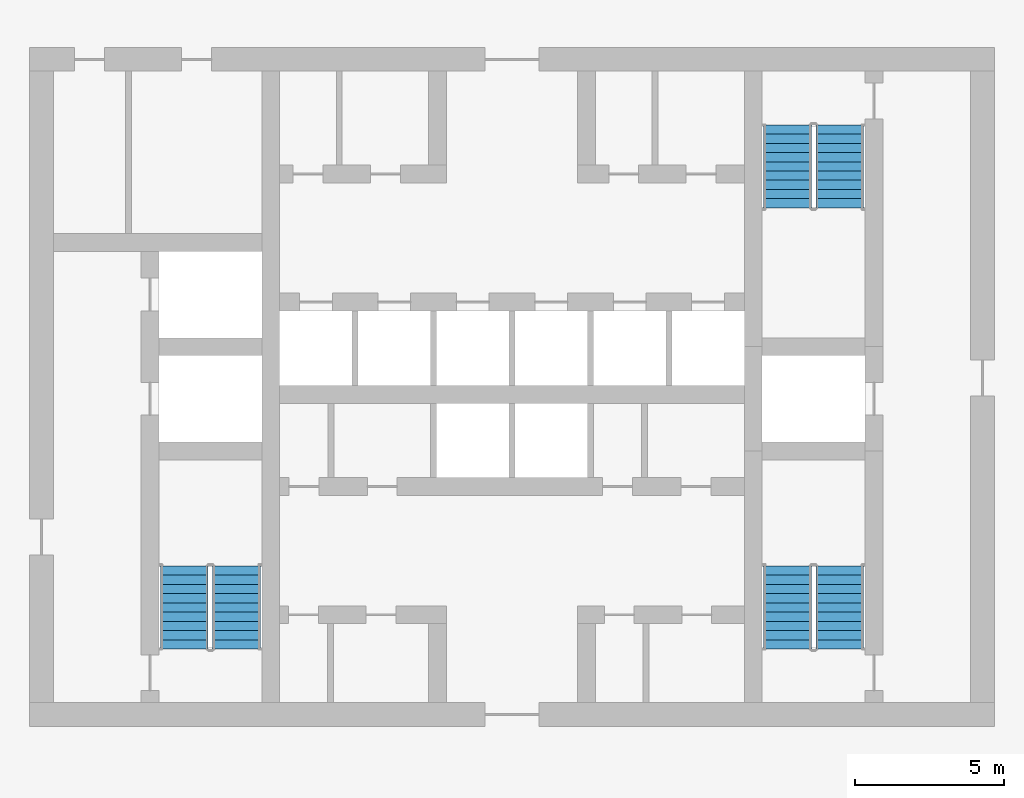
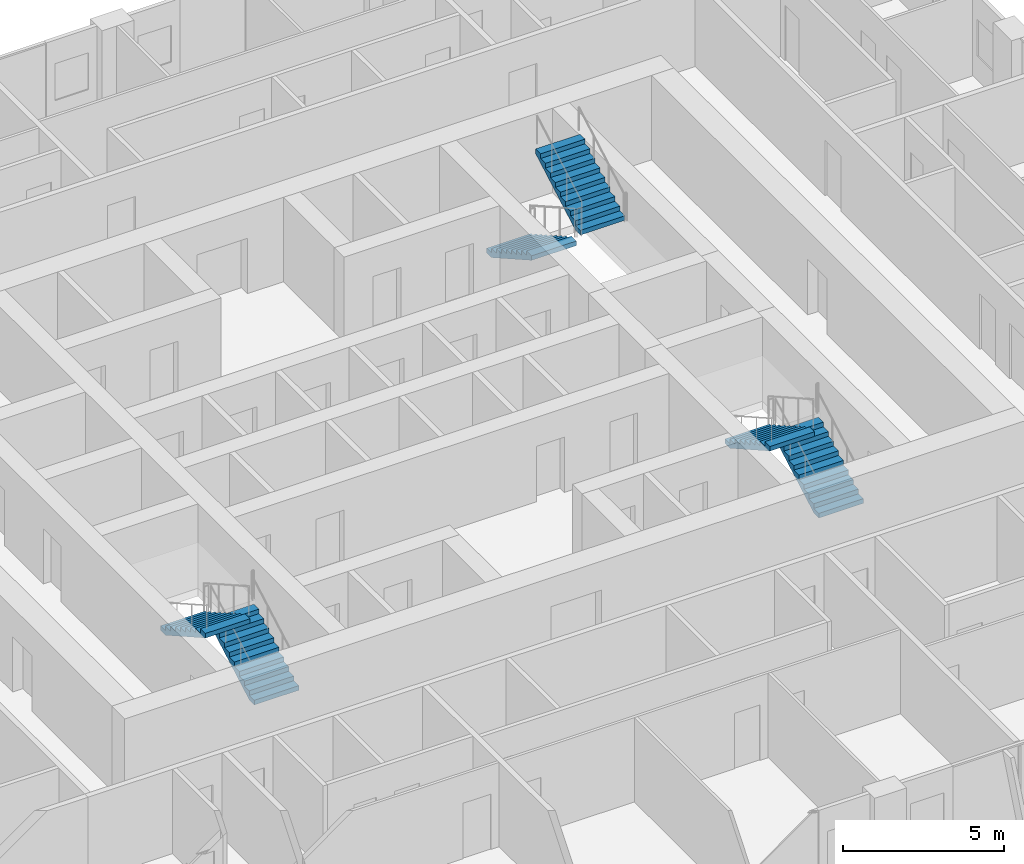
# One storey, part 16 of 22: 6 stair flights, 3 elements without a shape of their own.
"""IFC4 building model written with IfcOpenShell, lengths in metres."""

from ifc_helpers import new_model, si_unit, direction, frame, origin, place, context, subcontext, project, spatial, polyline, outline, extrude, material, type_object, element, aggregate, save


model = new_model("IFC4")

# Units and contexts
model_context = context("Model", 3, precision=1e-05, world=origin(), true_north=direction((0.0, 1.0)))
body_context = subcontext(model_context, "Body", "Model", "MODEL_VIEW")
ifc_project = project(units=[si_unit("LENGTHUNIT", "METRE"), si_unit("AREAUNIT", "SQUARE_METRE"), si_unit("VOLUMEUNIT", "CUBIC_METRE"), si_unit("PLANEANGLEUNIT", "RADIAN"), si_unit("MASSUNIT", "GRAM", prefix="KILO")], contexts=[model_context])

# Site, building, storey
site_placement = place(None, origin())
site = spatial("IfcSite", under=ifc_project, at=site_placement, CompositionType="ELEMENT")
building_placement = place(site_placement, origin())
building = spatial("IfcBuilding", under=site, at=building_placement, Name="Madar Terraces", CompositionType="ELEMENT")
storey_placement = place(building_placement, frame((0.0, 0.0, 166.5)))
storey = spatial("IfcBuildingStorey", under=building, at=storey_placement, Name="L43", CompositionType="ELEMENT", Elevation=166.5)

# Stair, stair flights
ifc_material_1 = material(Name="Concrete C50/60", Category="concrete")
stair_type_1 = type_object("IfcStairType", Name="Stair ST1 protected exit", PredefinedType="HALF_TURN_STAIR", material=ifc_material_1)
stair_1_placement = place(storey_placement, origin())
stair_1 = element("IfcStair", 1, at=stair_1_placement, inside=storey, type_object=stair_type_1, Name="L43 Protected Exit Stair ST1", PredefinedType="HALF_TURN_STAIR")
ifc_material_2 = material(Name="Concrete C50/60", Category="concrete")
stair_flight_type_1 = type_object("IfcStairFlightType", Name="Stair flight ST1-F4, 1600 wide, 10 risers", PredefinedType="STRAIGHT", material=ifc_material_2)
stair_flight_1_placement = place(storey_placement, frame((21.949951171875, 17.60009765625, 0.0), z_axis=(0.0, 0.0, 1.0), x_axis=(0.0, 1.0, 0.0)))
stair_flight_1 = element("IfcStairFlight", 2, at=stair_flight_1_placement, type_object=stair_flight_type_1, Name="ST1 flight 1", NumberOfRisers=10, NumberOfTreads=9, PredefinedType="STRAIGHT", RiserHeight=0.175, TreadLength=0.31, context=body_context, shape_type="SweptSolid", body=[
    extrude(outline(polyline([(0.0, 0.0), (0.0, 0.175048828125), (0.31005859375, 0.175048828125), (0.31005859375, 0.35009765625), (0.6201171875, 0.35009765625), (0.6201171875, 0.52490234375), (0.929931640625, 0.52490234375), (0.929931640625, 0.699951171875), (1.239990234375, 0.699951171875), (1.239990234375, 0.875), (1.550048828125, 0.875), (1.550048828125, 1.050048828125), (1.860107421875, 1.050048828125), (1.860107421875, 1.22509765625), (2.169921875, 1.22509765625), (2.169921875, 1.39990234375), (2.47998046875, 1.39990234375), (2.47998046875, 1.574951171875), (2.7900390625, 1.574951171875), (2.7900390625, 1.75), (2.7900390625, 1.40283203125), (0.304931640625, 0.0), (0.0, 0.0)])), frame((0.0, 0.800048828125, 0.0), z_axis=(0.0, -1.0, 0.0), x_axis=(1.0, 0.0, 0.0)), (0.0, 0.0, 1.0), 1.60009765625),
])
stair_flight_2_placement = place(storey_placement, frame((20.199951171875, 20.389892578125, 1.75), z_axis=(0.0, 0.0, 1.0), x_axis=(0.0, -1.0, 0.0)))
stair_flight_2 = element("IfcStairFlight", 3, at=stair_flight_2_placement, type_object=stair_flight_type_1, Name="ST1 flight 2", NumberOfRisers=10, NumberOfTreads=9, PredefinedType="STRAIGHT", RiserHeight=0.175, TreadLength=0.31, context=body_context, shape_type="SweptSolid", body=[
    extrude(outline(polyline([(0.0, 0.0), (0.0, 0.175048828125), (0.31005859375, 0.175048828125), (0.31005859375, 0.35009765625), (0.6201171875, 0.35009765625), (0.6201171875, 0.52490234375), (0.929931640625, 0.52490234375), (0.929931640625, 0.699951171875), (1.239990234375, 0.699951171875), (1.239990234375, 0.875), (1.550048828125, 0.875), (1.550048828125, 1.050048828125), (1.860107421875, 1.050048828125), (1.860107421875, 1.22509765625), (2.169921875, 1.22509765625), (2.169921875, 1.39990234375), (2.47998046875, 1.39990234375), (2.47998046875, 1.574951171875), (2.7900390625, 1.574951171875), (2.7900390625, 1.75), (2.7900390625, 1.40283203125), (0.304931640625, 0.0), (0.0, 0.0)])), frame((0.0, 0.800048828125, 0.0), z_axis=(0.0, -1.0, 0.0), x_axis=(1.0, 0.0, 0.0)), (0.0, 0.0, 1.0), 1.60009765625),
])
aggregate(stair_1, [stair_flight_1, stair_flight_2])

ifc_material_3 = material(Name="Concrete C50/60", Category="concrete")
stair_type_2 = type_object("IfcStairType", Name="Stair ST2 protected exit", PredefinedType="HALF_TURN_STAIR", material=ifc_material_3)
stair_2_placement = place(storey_placement, origin())
stair_2 = element("IfcStair", 4, at=stair_2_placement, inside=storey, type_object=stair_type_2, Name="L43 Protected Exit Stair ST2", PredefinedType="HALF_TURN_STAIR")
ifc_material_4 = material(Name="Concrete C50/60", Category="concrete")
stair_flight_type_2 = type_object("IfcStairFlightType", Name="Stair flight ST2-F4, 1600 wide, 10 risers", PredefinedType="STRAIGHT", material=ifc_material_4)
stair_flight_3_placement = place(storey_placement, frame((40.449951171875, 35.199951171875, 0.0), z_axis=(0.0, 0.0, 1.0), x_axis=(0.0, -1.0, 0.0)))
stair_flight_3 = element("IfcStairFlight", 5, at=stair_flight_3_placement, type_object=stair_flight_type_2, Name="ST2 flight 1", NumberOfRisers=10, NumberOfTreads=9, PredefinedType="STRAIGHT", RiserHeight=0.175, TreadLength=0.31, context=body_context, shape_type="SweptSolid", body=[
    extrude(outline(polyline([(0.0, 0.0), (0.0, 0.175048828125), (0.31005859375, 0.175048828125), (0.31005859375, 0.35009765625), (0.6201171875, 0.35009765625), (0.6201171875, 0.52490234375), (0.929931640625, 0.52490234375), (0.929931640625, 0.699951171875), (1.239990234375, 0.699951171875), (1.239990234375, 0.875), (1.550048828125, 0.875), (1.550048828125, 1.050048828125), (1.860107421875, 1.050048828125), (1.860107421875, 1.22509765625), (2.169921875, 1.22509765625), (2.169921875, 1.39990234375), (2.47998046875, 1.39990234375), (2.47998046875, 1.574951171875), (2.7900390625, 1.574951171875), (2.7900390625, 1.75), (2.7900390625, 1.40283203125), (0.304931640625, 0.0), (0.0, 0.0)])), frame((0.0, 0.800048828125, 0.0), z_axis=(0.0, -1.0, 0.0), x_axis=(1.0, 0.0, 0.0)), (0.0, 0.0, 1.0), 1.60009765625),
])
stair_flight_4_placement = place(storey_placement, frame((42.199951171875, 32.409912109375, 1.75), z_axis=(0.0, 0.0, 1.0), x_axis=(0.0, 1.0, 0.0)))
stair_flight_4 = element("IfcStairFlight", 6, at=stair_flight_4_placement, type_object=stair_flight_type_2, Name="ST2 flight 2", NumberOfRisers=10, NumberOfTreads=9, PredefinedType="STRAIGHT", RiserHeight=0.175, TreadLength=0.31, context=body_context, shape_type="SweptSolid", body=[
    extrude(outline(polyline([(0.0, 0.0), (0.0, 0.175048828125), (0.31005859375, 0.175048828125), (0.31005859375, 0.35009765625), (0.6201171875, 0.35009765625), (0.6201171875, 0.52490234375), (0.929931640625, 0.52490234375), (0.929931640625, 0.699951171875), (1.239990234375, 0.699951171875), (1.239990234375, 0.875), (1.550048828125, 0.875), (1.550048828125, 1.050048828125), (1.860107421875, 1.050048828125), (1.860107421875, 1.22509765625), (2.169921875, 1.22509765625), (2.169921875, 1.39990234375), (2.47998046875, 1.39990234375), (2.47998046875, 1.574951171875), (2.7900390625, 1.574951171875), (2.7900390625, 1.75), (2.7900390625, 1.40283203125), (0.304931640625, 0.0), (0.0, 0.0)])), frame((0.0, 0.800048828125, 0.0), z_axis=(0.0, -1.0, 0.0), x_axis=(1.0, 0.0, 0.0)), (0.0, 0.0, 1.0), 1.60009765625),
])
aggregate(stair_2, [stair_flight_3, stair_flight_4])

ifc_material_5 = material(Name="Concrete C50/60", Category="concrete")
stair_type_3 = type_object("IfcStairType", Name="Stair ST3 protected exit", PredefinedType="HALF_TURN_STAIR", material=ifc_material_5)
stair_3_placement = place(storey_placement, origin())
stair_3 = element("IfcStair", 7, at=stair_3_placement, inside=storey, type_object=stair_type_3, Name="L43 Protected Exit Stair ST3", PredefinedType="HALF_TURN_STAIR")
ifc_material_6 = material(Name="Concrete C50/60", Category="concrete")
stair_flight_type_3 = type_object("IfcStairFlightType", Name="Stair flight ST3-F4, 1600 wide, 10 risers", PredefinedType="STRAIGHT", material=ifc_material_6)
stair_flight_5_placement = place(storey_placement, frame((42.199951171875, 17.60009765625, 0.0), z_axis=(0.0, 0.0, 1.0), x_axis=(0.0, 1.0, 0.0)))
stair_flight_5 = element("IfcStairFlight", 8, at=stair_flight_5_placement, type_object=stair_flight_type_3, Name="ST3 flight 1", NumberOfRisers=10, NumberOfTreads=9, PredefinedType="STRAIGHT", RiserHeight=0.175, TreadLength=0.31, context=body_context, shape_type="SweptSolid", body=[
    extrude(outline(polyline([(0.0, 0.0), (0.0, 0.175048828125), (0.31005859375, 0.175048828125), (0.31005859375, 0.35009765625), (0.6201171875, 0.35009765625), (0.6201171875, 0.52490234375), (0.929931640625, 0.52490234375), (0.929931640625, 0.699951171875), (1.239990234375, 0.699951171875), (1.239990234375, 0.875), (1.550048828125, 0.875), (1.550048828125, 1.050048828125), (1.860107421875, 1.050048828125), (1.860107421875, 1.22509765625), (2.169921875, 1.22509765625), (2.169921875, 1.39990234375), (2.47998046875, 1.39990234375), (2.47998046875, 1.574951171875), (2.7900390625, 1.574951171875), (2.7900390625, 1.75), (2.7900390625, 1.40283203125), (0.304931640625, 0.0), (0.0, 0.0)])), frame((0.0, 0.800048828125, 0.0), z_axis=(0.0, -1.0, 0.0), x_axis=(1.0, 0.0, 0.0)), (0.0, 0.0, 1.0), 1.60009765625),
])
stair_flight_6_placement = place(storey_placement, frame((40.449951171875, 20.389892578125, 1.75), z_axis=(0.0, 0.0, 1.0), x_axis=(0.0, -1.0, 0.0)))
stair_flight_6 = element("IfcStairFlight", 9, at=stair_flight_6_placement, type_object=stair_flight_type_3, Name="ST3 flight 2", NumberOfRisers=10, NumberOfTreads=9, PredefinedType="STRAIGHT", RiserHeight=0.175, TreadLength=0.31, context=body_context, shape_type="SweptSolid", body=[
    extrude(outline(polyline([(0.0, 0.0), (0.0, 0.175048828125), (0.31005859375, 0.175048828125), (0.31005859375, 0.35009765625), (0.6201171875, 0.35009765625), (0.6201171875, 0.52490234375), (0.929931640625, 0.52490234375), (0.929931640625, 0.699951171875), (1.239990234375, 0.699951171875), (1.239990234375, 0.875), (1.550048828125, 0.875), (1.550048828125, 1.050048828125), (1.860107421875, 1.050048828125), (1.860107421875, 1.22509765625), (2.169921875, 1.22509765625), (2.169921875, 1.39990234375), (2.47998046875, 1.39990234375), (2.47998046875, 1.574951171875), (2.7900390625, 1.574951171875), (2.7900390625, 1.75), (2.7900390625, 1.40283203125), (0.304931640625, 0.0), (0.0, 0.0)])), frame((0.0, 0.800048828125, 0.0), z_axis=(0.0, -1.0, 0.0), x_axis=(1.0, 0.0, 0.0)), (0.0, 0.0, 1.0), 1.60009765625),
])
aggregate(stair_3, [stair_flight_5, stair_flight_6])

save(model, "model.ifc")
